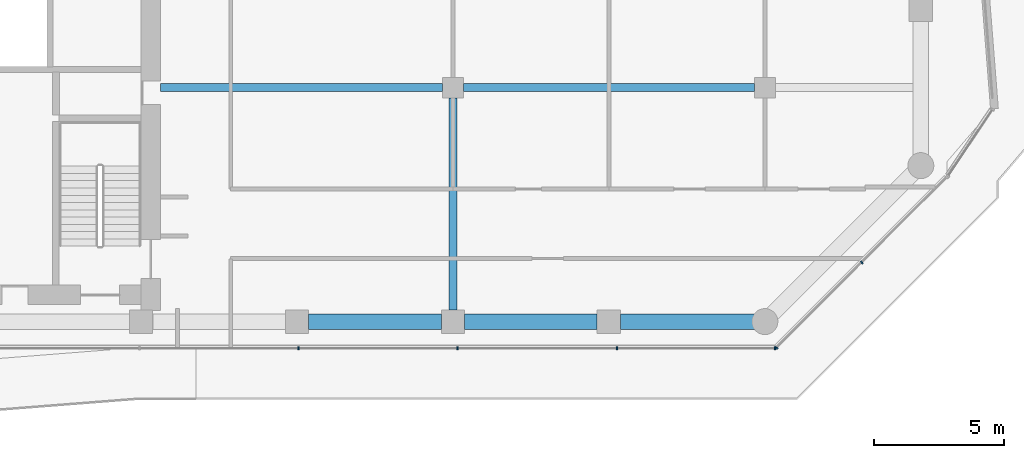
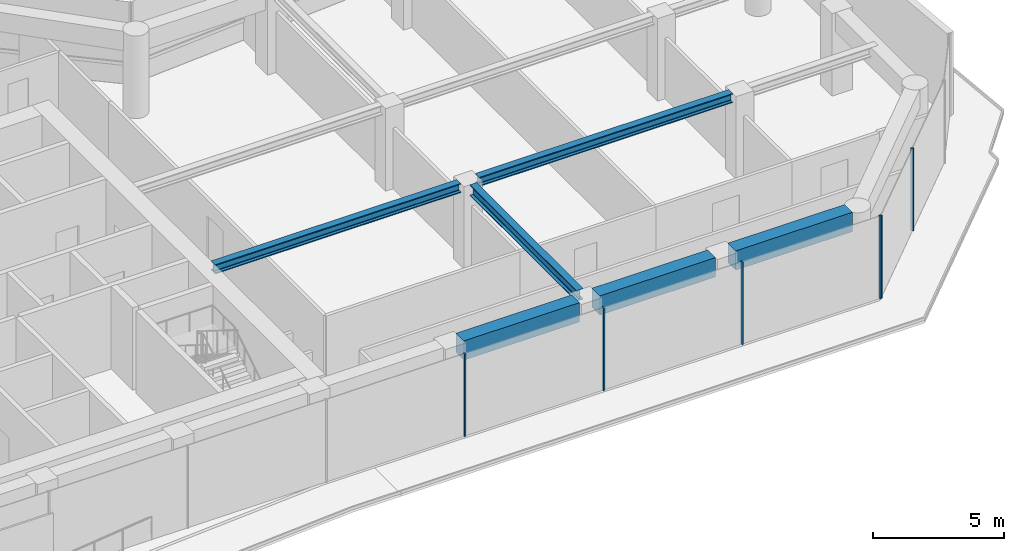
# One storey, part 6 of 25: 6 beams, 6 members, 2 elements without a shape of their own.
"""IFC4 building model written with IfcOpenShell, lengths in metres."""

from ifc_helpers import new_model, si_unit, direction, frame, origin, origin_2d, place, context, subcontext, project, spatial, rectangle, i_section, extrude, material, layer, layer_set, material_profile, profile_set, type_object, element, aggregate, save


model = new_model("IFC4")

# Units and contexts
model_context = context("Model", 3, precision=1e-05, world=origin(), true_north=direction((0.0, 1.0)))
body_context = subcontext(model_context, "Body", "Model", "MODEL_VIEW")
ifc_project = project(units=[si_unit("LENGTHUNIT", "METRE"), si_unit("AREAUNIT", "SQUARE_METRE"), si_unit("VOLUMEUNIT", "CUBIC_METRE"), si_unit("PLANEANGLEUNIT", "RADIAN"), si_unit("MASSUNIT", "GRAM", prefix="KILO")], contexts=[model_context])

# Site, building, storey
site_placement = place(None, origin())
site = spatial("IfcSite", under=ifc_project, at=site_placement, CompositionType="ELEMENT")
building_placement = place(site_placement, origin())
building = spatial("IfcBuilding", under=site, at=building_placement, Name="Welwitschia Terrace Campus", CompositionType="ELEMENT")
storey_placement = place(building_placement, frame((0.0, 0.0, 92.0)))
storey = spatial("IfcBuildingStorey", under=building, at=storey_placement, Name="L20", CompositionType="ELEMENT", Elevation=92.0)

# Beams
ifc_material_1 = material(Name="Steel S355", Category="steel")
ifc_material_profile_1 = material_profile(ifc_material_1, i_section(OverallWidth=0.306884765625, OverallDepth=0.431884765625, WebThickness=0.02099609375, FlangeThickness=0.0400390625, FilletRadius=0.027099609375, at=origin_2d()))
ifc_profile_set_1 = profile_set([ifc_material_profile_1], Name="Steel S355")
beam_type_1 = type_object("IfcBeamType", Name="Interior girder HE 400 M", PredefinedType="BEAM", material=ifc_profile_set_1)
beam_1_placement = place(storey_placement, frame((24.7509765625, 13.0, 3.634033203125), z_axis=(1.0, 0.0, 0.0), x_axis=(0.0, 1.0, 0.0)))
element("IfcBeam", 1, at=beam_1_placement, inside=storey, type_object=beam_type_1, Name="Girder GB3", PredefinedType="BEAM", context=body_context, shape_type="SweptSolid", body=[
    extrude(i_section(OverallWidth=0.306884765625, OverallDepth=0.431884765625, WebThickness=0.02099609375, FlangeThickness=0.0400390625, FilletRadius=0.027099609375, at=origin_2d()), origin(), (0.0, 0.0, 1.0), 10.8486328125),
])
beam_2_placement = place(storey_placement, frame((36.400390625, 13.0, 3.634033203125), z_axis=(1.0, 0.0, 0.0), x_axis=(0.0, 1.0, 0.0)))
element("IfcBeam", 2, at=beam_2_placement, inside=storey, type_object=beam_type_1, Name="Girder GB3", PredefinedType="BEAM", context=body_context, shape_type="SweptSolid", body=[
    extrude(i_section(OverallWidth=0.306884765625, OverallDepth=0.431884765625, WebThickness=0.02099609375, FlangeThickness=0.0400390625, FilletRadius=0.027099609375, at=origin_2d()), origin(), (0.0, 0.0, 1.0), 11.19921875),
])

# Curtain wall, members
ifc_material_2 = material(Name="Bronze anodised aluminium", Category="aluminium")
ifc_layer = layer(ifc_material_2, 0.1201171875)
ifc_layer_set = layer_set([ifc_layer], Name="Bronze anodised aluminium")
curtain_wall_type = type_object("IfcCurtainWallType", Name="Curtain wall CW2 tower 6000", PredefinedType="NOTDEFINED", material=ifc_layer_set)
curtain_wall_1_placement = place(storey_placement, origin())
curtain_wall_1 = element("IfcCurtainWall", 3, at=curtain_wall_1_placement, inside=storey, type_object=curtain_wall_type, Name="CW L20.3.0", PredefinedType="NOTDEFINED")
ifc_material_3 = material(Name="Bronze anodised aluminium", Category="aluminium")
ifc_material_profile_2 = material_profile(ifc_material_3, rectangle(XDim=0.1201171875, YDim=0.06005859375, at=origin_2d()))
ifc_profile_set_2 = profile_set([ifc_material_profile_2], Name="Bronze anodised aluminium")
member_type = type_object("IfcMemberType", Name="Mullion 60x120", PredefinedType="MULLION", material=ifc_profile_set_2)
member_1_placement = place(storey_placement, frame((30.06103515625, 2.969970703125, 0.0), z_axis=(0.0, 0.0, 1.0), x_axis=(0.0, 1.0, 0.0)))
member_1 = element("IfcMember", 4, at=member_1_placement, type_object=member_type, Name="Mullion L20.3.0.4", PredefinedType="MULLION", context=body_context, shape_type="SweptSolid", body=[
    extrude(rectangle(XDim=0.1201171875, YDim=0.06005859375, at=origin_2d()), origin(), (0.0, 0.0, 1.0), 3.85009765625),
])
member_2_placement = place(storey_placement, frame((36.182861328125, 2.969970703125, 0.0), z_axis=(0.0, 0.0, 1.0), x_axis=(0.0, 1.0, 0.0)))
member_2 = element("IfcMember", 5, at=member_2_placement, type_object=member_type, Name="Mullion L20.3.0.5", PredefinedType="MULLION", context=body_context, shape_type="SweptSolid", body=[
    extrude(rectangle(XDim=0.1201171875, YDim=0.06005859375, at=origin_2d()), origin(), (0.0, 0.0, 1.0), 3.85009765625),
])
member_3_placement = place(storey_placement, frame((42.3046875, 2.969970703125, 0.0), z_axis=(0.0, 0.0, 1.0), x_axis=(0.0, 1.0, 0.0)))
member_3 = element("IfcMember", 6, at=member_3_placement, type_object=member_type, Name="Mullion L20.3.0.6", PredefinedType="MULLION", context=body_context, shape_type="SweptSolid", body=[
    extrude(rectangle(XDim=0.1201171875, YDim=0.06005859375, at=origin_2d()), origin(), (0.0, 0.0, 1.0), 3.85009765625),
])
member_4_placement = place(storey_placement, frame((48.396728515625, 2.969970703125, 0.0), z_axis=(0.0, 0.0, 1.0), x_axis=(0.0, 1.0, 0.0)))
member_4 = element("IfcMember", 7, at=member_4_placement, type_object=member_type, Name="Mullion L20.3.0.7", PredefinedType="MULLION", context=body_context, shape_type="SweptSolid", body=[
    extrude(rectangle(XDim=0.1201171875, YDim=0.06005859375, at=origin_2d()), origin(), (0.0, 0.0, 1.0), 3.85009765625),
])
aggregate(curtain_wall_1, [member_1, member_2, member_3, member_4])

curtain_wall_2_placement = place(storey_placement, origin())
curtain_wall_2 = element("IfcCurtainWall", 8, at=curtain_wall_2_placement, inside=storey, type_object=curtain_wall_type, Name="CW L20.4.0", PredefinedType="NOTDEFINED")
member_5_placement = place(storey_placement, frame((48.44775390625, 2.9912109375, 0.0), z_axis=(0.0, 0.0, 1.0), x_axis=(-0.707106781187, 0.707106781187, 0.0)))
member_5 = element("IfcMember", 9, at=member_5_placement, type_object=member_type, Name="Mullion L20.4.0.0", PredefinedType="MULLION", context=body_context, shape_type="SweptSolid", body=[
    extrude(rectangle(XDim=0.1201171875, YDim=0.06005859375, at=origin_2d()), origin(), (0.0, 0.0, 1.0), 3.85009765625),
])
member_6_placement = place(storey_placement, frame((51.728271484375, 6.271728515625, 0.0), z_axis=(0.0, 0.0, 1.0), x_axis=(-0.707106781187, 0.707106781187, 0.0)))
member_6 = element("IfcMember", 10, at=member_6_placement, type_object=member_type, Name="Mullion L20.4.0.1", PredefinedType="MULLION", context=body_context, shape_type="SweptSolid", body=[
    extrude(rectangle(XDim=0.1201171875, YDim=0.06005859375, at=origin_2d()), origin(), (0.0, 0.0, 1.0), 3.85009765625),
])
aggregate(curtain_wall_2, [member_5, member_6])

# Beams
ifc_material_4 = material(Name="Steel S355", Category="steel")
ifc_material_profile_3 = material_profile(ifc_material_4, i_section(OverallWidth=0.300048828125, OverallDepth=0.5, WebThickness=0.014404296875, FlangeThickness=0.028076171875, FilletRadius=0.027099609375, at=origin_2d()))
ifc_profile_set_3 = profile_set([ifc_material_profile_3], Name="Steel S355")
beam_type_2 = type_object("IfcBeamType", Name="Primary beam HE 500 B", PredefinedType="BEAM", material=ifc_profile_set_3)
beam_3_placement = place(storey_placement, frame((36.0, 4.450439453125, 3.60009765625), z_axis=(0.0, 1.0, 0.0), x_axis=(-1.0, 0.0, 0.0)))
element("IfcBeam", 11, at=beam_3_placement, inside=storey, type_object=beam_type_2, Name="Primary beam PB3", PredefinedType="BEAM", context=body_context, shape_type="SweptSolid", body=[
    extrude(i_section(OverallWidth=0.300048828125, OverallDepth=0.5, WebThickness=0.014404296875, FlangeThickness=0.028076171875, FilletRadius=0.027099609375, at=origin_2d()), origin(), (0.0, 0.0, 1.0), 8.149169921875),
])
ifc_material_5 = material(Name="Concrete C60/75", Category="concrete")
ifc_material_profile_4 = material_profile(ifc_material_5, rectangle(XDim=0.60009765625, YDim=0.89990234375, at=origin_2d()))
ifc_profile_set_4 = profile_set([ifc_material_profile_4], Name="Concrete C60/75")
beam_type_3 = type_object("IfcBeamType", Name="Ring spandrel 600x900", PredefinedType="SPANDREL", material=ifc_profile_set_4)
for number, where, z_axis, x_axis, name in (
    (12, (30.450439453125, 4.0, 3.39990234375), (1.0, 0.0, 0.0), (0.0, 1.0, 0.0), "Spandrel SP2"),
    (13, (36.450439453125, 4.0, 3.39990234375), (1.0, 0.0, 0.0), (0.0, 1.0, 0.0), "Spandrel SP2"),
):
    element("IfcBeam", number, at=place(storey_placement, frame(where, z_axis=z_axis, x_axis=x_axis)), inside=storey, type_object=beam_type_3, Name=name, PredefinedType="SPANDREL", context=body_context, shape_type="SweptSolid", body=[
        extrude(rectangle(XDim=0.60009765625, YDim=0.89990234375, at=origin_2d()), origin(), (0.0, 0.0, 1.0), 5.09912109375),
    ])
beam_4_placement = place(storey_placement, frame((42.450439453125, 4.0, 3.39990234375), z_axis=(1.0, 0.0, 0.0), x_axis=(0.0, 1.0, 0.0)))
element("IfcBeam", 14, at=beam_4_placement, inside=storey, type_object=beam_type_3, Name="Spandrel SP2", PredefinedType="SPANDREL", context=body_context, shape_type="SweptSolid", body=[
    extrude(rectangle(XDim=0.60009765625, YDim=0.89990234375, at=origin_2d()), origin(), (0.0, 0.0, 1.0), 5.149169921875),
])

save(model, "model.ifc")
